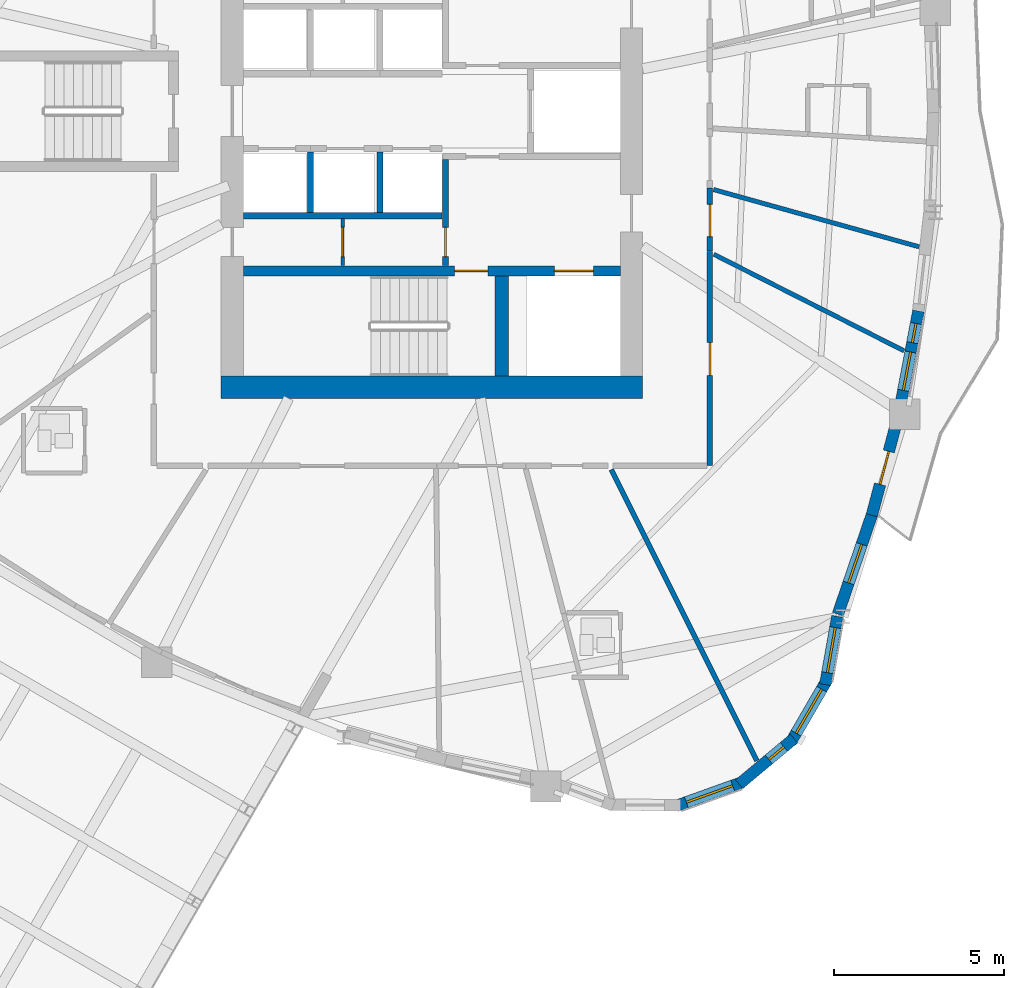
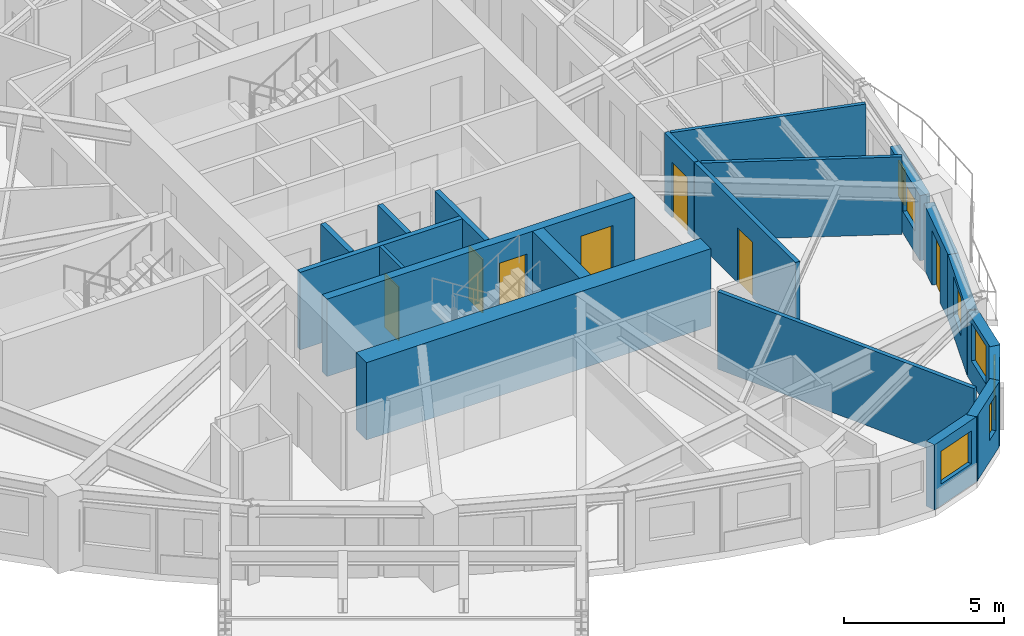
# One storey, part 6 of 17: 20 walls, 7 doors, 7 windows, 14 openings.
"""IFC4 building model written with IfcOpenShell, lengths in metres."""

from ifc_helpers import new_model, si_unit, direction, frame, frame_2d, origin, place, context, subcontext, project, spatial, rectangle, extrude, source, transform, mapped, material, layer, layer_set, type_object, element, fill, save


model = new_model("IFC4")

# Units and contexts
model_context = context("Model", 3, precision=1e-05, world=origin(), true_north=direction((0.0, 1.0)))
body_context = subcontext(model_context, "Body", "Model", "MODEL_VIEW")
ifc_project = project(units=[si_unit("LENGTHUNIT", "METRE"), si_unit("AREAUNIT", "SQUARE_METRE"), si_unit("VOLUMEUNIT", "CUBIC_METRE"), si_unit("PLANEANGLEUNIT", "RADIAN"), si_unit("MASSUNIT", "GRAM", prefix="KILO")], contexts=[model_context])

# Site, building, storey
site_placement = place(None, origin())
site = spatial("IfcSite", under=ifc_project, at=site_placement, CompositionType="ELEMENT")
building_placement = place(site_placement, origin())
building = spatial("IfcBuilding", under=site, at=building_placement, Name="Qafzar Sky-Pleat Residences", CompositionType="ELEMENT")
storey_placement = place(building_placement, frame((0.0, 0.0, 115.199951171875)))
storey = spatial("IfcBuildingStorey", under=building, at=storey_placement, Name="L34", CompositionType="ELEMENT", Elevation=115.199951171875)

# Wall, opening, door
ifc_material_1 = material(Name="Acoustic gypsum plasterboard partition", Category="gypsum")
ifc_layer_1 = layer(ifc_material_1, 0.159912109375)
ifc_layer_set_1 = layer_set([ifc_layer_1], Name="Acoustic gypsum plasterboard partition")
wall_type_1 = type_object("IfcWallType", Name="PART-COR-160", PredefinedType="PARTITIONING", material=ifc_layer_set_1)
wall_1_placement = place(storey_placement, frame((38.530029296875, 21.863037109375, 0.0), z_axis=(0.0, 0.0, 1.0), x_axis=(0.0, -1.0, 0.0)))
wall_1 = element("IfcWall", 1, at=wall_1_placement, inside=storey, type_object=wall_type_1, Name="L34 Partition Wall PART-L34-PW-004", PredefinedType="PARTITIONING", context=body_context, shape_type="SweptSolid", body=[
    extrude(rectangle(XDim=6.29296875, YDim=0.159912109375, at=frame_2d((3.146484375, 0.0))), origin(), (0.0, 0.0, 1.0), 2.949951171875),
])
opening_1_placement = place(wall_1_placement, frame((2.675048828125, 0.0, 0.0)))
opening_1 = element("IfcOpeningElement", 2, at=opening_1_placement, cuts=wall_1, Name="Opening ID-06", PredefinedType="OPENING", context=body_context, shape_type="SweptSolid", body=[
    extrude(rectangle(XDim=0.9599609375, YDim=2.10009765625, at=frame_2d((0.47998046875, 1.050048828125))), frame((0.0, 0.08984375, 0.0), z_axis=(0.0, -1.0, 0.0), x_axis=(1.0, 0.0, 0.0)), (0.0, 0.0, 1.0), 0.179931640625),
])
ifc_material_2 = material(Name="Timber-faced fire door", Category="wood")
door_type_1 = type_object("IfcDoorType", Name="DR-STD-960", OperationType="NOTDEFINED", PredefinedType="DOOR", material=ifc_material_2)
shared_shape_1 = source(origin(), body_context, "Body", "SweptSolid", [
    extrude(rectangle(XDim=0.9599609375, YDim=2.10009765625, at=frame_2d((0.47998046875, 1.050048828125))), frame((0.0, 0.02490234375, 0.0), z_axis=(0.0, -1.0, 0.0), x_axis=(1.0, 0.0, 0.0)), (0.0, 0.0, 1.0), 0.050048828125),
])
door_1_placement = place(opening_1_placement, origin())
door_1 = element("IfcDoor", 3, at=door_1_placement, inside=storey, type_object=door_type_1, Name="L34 Wellness Yoga Studio Door", OperationType="SINGLE_SWING_RIGHT", OverallHeight=2.10009765625, OverallWidth=0.9599609375, PredefinedType="DOOR", context=body_context, shape_type="MappedRepresentation", body=[
    mapped(shared_shape_1, transform((0.0, 0.0, 0.0), x_axis=(1.0, 0.0, 0.0), y_axis=(0.0, 1.0, 0.0), z_axis=(0.0, 0.0, 1.0), scale=1.0)),
])
fill(opening_1, door_1)

wall_2_placement = place(storey_placement, frame((38.530029296875, 23.737060546875, 0.0), z_axis=(0.0, 0.0, 1.0), x_axis=(0.0, -1.0, 0.0)))
wall_2 = element("IfcWall", 4, at=wall_2_placement, inside=storey, type_object=wall_type_1, Name="L34 Partition Wall PART-L34-PW-025", PredefinedType="PARTITIONING", context=body_context, shape_type="SweptSolid", body=[
    extrude(rectangle(XDim=1.859130859375, YDim=0.159912109375, at=frame_2d((0.9296875, 0.0))), origin(), (0.0, 0.0, 1.0), 2.949951171875),
])
opening_2_placement = place(wall_2_placement, frame((0.47802734375, 0.0, 0.0)))
opening_2 = element("IfcOpeningElement", 5, at=opening_2_placement, cuts=wall_2, Name="Opening ID-08", PredefinedType="OPENING", context=body_context, shape_type="SweptSolid", body=[
    extrude(rectangle(XDim=0.949951171875, YDim=2.10009765625, at=frame_2d((0.47509765625, 1.050048828125))), frame((0.0, 0.08984375, 0.0), z_axis=(0.0, -1.0, 0.0), x_axis=(1.0, 0.0, 0.0)), (0.0, 0.0, 1.0), 0.179931640625),
])
door_type_2 = type_object("IfcDoorType", Name="DR-AWC-950", OperationType="NOTDEFINED", PredefinedType="DOOR", material=ifc_material_2)
shared_shape_2 = source(origin(), body_context, "Body", "SweptSolid", [
    extrude(rectangle(XDim=0.949951171875, YDim=2.10009765625, at=frame_2d((0.47509765625, 1.050048828125))), frame((0.0, 0.02490234375, 0.0), z_axis=(0.0, -1.0, 0.0), x_axis=(1.0, 0.0, 0.0)), (0.0, 0.0, 1.0), 0.050048828125),
])
door_2_placement = place(opening_2_placement, origin())
door_2 = element("IfcDoor", 6, at=door_2_placement, inside=storey, type_object=door_type_2, Name="L34 Accessible Shared Washroom Door", OperationType="SINGLE_SWING_RIGHT", OverallHeight=2.10009765625, OverallWidth=0.949951171875, PredefinedType="DOOR", context=body_context, shape_type="MappedRepresentation", body=[
    mapped(shared_shape_2, transform((0.0, 0.0, 0.0), x_axis=(1.0, 0.0, 0.0), y_axis=(0.0, 1.0, 0.0), z_axis=(0.0, 0.0, 1.0), scale=1.0)),
])
fill(opening_2, door_2)

ifc_material_3 = material(Name="Concrete blockwork partition", Category="masonry")
ifc_layer_2 = layer(ifc_material_3, 0.179931640625)
ifc_layer_set_2 = layer_set([ifc_layer_2], Name="Concrete blockwork partition")
wall_type_2 = type_object("IfcWallType", Name="PART-SHAFT-180", PredefinedType="PARTITIONING", material=ifc_layer_set_2)
wall_3_placement = place(storey_placement, frame((30.75, 21.4599609375, 0.0), z_axis=(0.0, 0.0, 1.0), x_axis=(0.0, 1.0, 0.0)))
wall_3 = element("IfcWall", 7, at=wall_3_placement, inside=storey, type_object=wall_type_2, Name="L34 Partition Wall PART-L34-FFL1-W", PredefinedType="PARTITIONING", context=body_context, shape_type="SweptSolid", body=[
    extrude(rectangle(XDim=3.110107421875, YDim=0.179931640625, at=frame_2d((1.55517578125, 0.0))), origin(), (0.0, 0.0, 1.0), 2.949951171875),
])
opening_3_placement = place(wall_3_placement, frame((0.260009765625, 0.0, 0.0)))
opening_3 = element("IfcOpeningElement", 8, at=opening_3_placement, cuts=wall_3, Name="Opening ID-09", PredefinedType="OPENING", context=body_context, shape_type="SweptSolid", body=[
    extrude(rectangle(XDim=0.860107421875, YDim=2.050048828125, at=frame_2d((0.43017578125, 1.02490234375))), frame((0.0, 0.10009765625, 0.0), z_axis=(0.0, -1.0, 0.0), x_axis=(1.0, 0.0, 0.0)), (0.0, 0.0, 1.0), 0.199951171875),
])
door_type_3 = type_object("IfcDoorType", Name="DR-SVC-860", OperationType="NOTDEFINED", PredefinedType="DOOR", material=ifc_material_2)
shared_shape_3 = source(origin(), body_context, "Body", "SweptSolid", [
    extrude(rectangle(XDim=0.860107421875, YDim=2.050048828125, at=frame_2d((0.43017578125, 1.02490234375))), frame((0.0, 0.02490234375, 0.0), z_axis=(0.0, -1.0, 0.0), x_axis=(1.0, 0.0, 0.0)), (0.0, 0.0, 1.0), 0.050048828125),
])
door_3_placement = place(opening_3_placement, origin())
door_3 = element("IfcDoor", 9, at=door_3_placement, inside=storey, type_object=door_type_3, Name="L34 South Core Cupboard Door", OperationType="SINGLE_SWING_LEFT", OverallHeight=2.050048828125, OverallWidth=0.860107421875, PredefinedType="DOOR", context=body_context, shape_type="MappedRepresentation", body=[
    mapped(shared_shape_3, transform((0.0, 0.0, 0.0), x_axis=(1.0, 0.0, 0.0), y_axis=(0.0, 1.0, 0.0), z_axis=(0.0, 0.0, 1.0), scale=1.0)),
])
fill(opening_3, door_3)

# Walls
wall_4_placement = place(storey_placement, frame((24.81005859375, 22.919921875, 0.0), z_axis=(0.0, 0.0, 1.0), x_axis=(1.0, 0.0, 0.0)))
element("IfcWall", 10, at=wall_4_placement, inside=storey, type_object=wall_type_2, Name="L34 Partition Wall PART-L34-P13-S", PredefinedType="PARTITIONING", context=body_context, shape_type="SweptSolid", body=[
    extrude(rectangle(XDim=5.83984375, YDim=0.179931640625, at=frame_2d((2.919921875, 0.0))), origin(), (0.0, 0.0, 1.0), 2.949951171875),
])
for number, where, z_axis, x_axis, name in (
    (11, (26.77490234375, 23.02001953125, 0.0), (0.0, 0.0, 1.0), (0.0, 1.0, 0.0), "L34 Partition Wall PART-L34-P13-DIV-1"),
    (12, (28.824951171875, 23.02001953125, 0.0), (0.0, 0.0, 1.0), (0.0, 1.0, 0.0), "L34 Partition Wall PART-L34-P13-DIV-2"),
):
    element("IfcWall", number, at=place(storey_placement, frame(where, z_axis=z_axis, x_axis=x_axis)), inside=storey, type_object=wall_type_2, Name=name, PredefinedType="PARTITIONING", context=body_context, shape_type="SweptSolid", body=[
        extrude(rectangle(XDim=1.780029296875, YDim=0.179931640625, at=frame_2d((0.89013671875, 0.0))), origin(), (0.0, 0.0, 1.0), 2.949951171875),
    ])

# Wall, opening, door
ifc_material_4 = material(Name="Gypsum plasterboard partition", Category="gypsum")
ifc_layer_3 = layer(ifc_material_4, 0.114990234375)
ifc_layer_set_3 = layer_set([ifc_layer_3], Name="Gypsum plasterboard partition")
wall_type_3 = type_object("IfcWallType", Name="PART-SVC-115", PredefinedType="PARTITIONING", material=ifc_layer_set_3)
wall_5_placement = place(storey_placement, frame((27.72509765625, 21.4599609375, 0.0), z_axis=(0.0, 0.0, 1.0), x_axis=(0.0, 1.0, 0.0)))
wall_5 = element("IfcWall", 13, at=wall_5_placement, inside=storey, type_object=wall_type_3, Name="L34 Partition Wall PART-L34-KB-SW", PredefinedType="PARTITIONING", context=body_context, shape_type="SweptSolid", body=[
    extrude(rectangle(XDim=1.380126953125, YDim=0.114990234375, at=frame_2d((0.68994140625, 0.0))), origin(), (0.0, 0.0, 1.0), 2.949951171875),
])
opening_4_placement = place(wall_5_placement, frame((0.260009765625, 0.0, 0.0)))
opening_4 = element("IfcOpeningElement", 14, at=opening_4_placement, cuts=wall_5, Name="Opening ID-09", PredefinedType="OPENING", context=body_context, shape_type="SweptSolid", body=[
    extrude(rectangle(XDim=0.860107421875, YDim=2.050048828125, at=frame_2d((0.43017578125, 1.02490234375))), frame((0.0, 0.0673828125, 0.0), z_axis=(0.0, -1.0, 0.0), x_axis=(1.0, 0.0, 0.0)), (0.0, 0.0, 1.0), 0.135009765625),
])
door_4_placement = place(opening_4_placement, origin())
door_4 = element("IfcDoor", 15, at=door_4_placement, inside=storey, type_object=door_type_3, Name="L34 BMS Metering Cupboard Door", OperationType="SINGLE_SWING_LEFT", OverallHeight=2.050048828125, OverallWidth=0.860107421875, PredefinedType="DOOR", context=body_context, shape_type="MappedRepresentation", body=[
    mapped(shared_shape_3, transform((0.0, 0.0, 0.0), x_axis=(1.0, 0.0, 0.0), y_axis=(0.0, 1.0, 0.0), z_axis=(0.0, 0.0, 1.0), scale=1.0)),
])
fill(opening_4, door_4)

# Walls
ifc_layer_4 = layer(ifc_material_1, 0.14501953125)
ifc_layer_set_4 = layer_set([ifc_layer_4], Name="Acoustic gypsum plasterboard partition")
wall_type_4 = type_object("IfcWallType", Name="PART-UNIT-145", PredefinedType="PARTITIONING", material=ifc_layer_set_4)
wall_6_placement = place(storey_placement, frame((35.627685546875, 15.450439453125, 0.0), z_axis=(0.0, 0.0, 1.0), x_axis=(0.447427687311, -0.894320113062, 0.0)))
element("IfcWall", 16, at=wall_6_placement, inside=storey, type_object=wall_type_4, Name="L34 Partition Wall PART-L34-PW-034", PredefinedType="PARTITIONING", context=body_context, shape_type="SweptSolid", body=[
    extrude(rectangle(XDim=9.578369140625, YDim=0.14501953125, at=frame_2d((4.7890625, 0.0))), origin(), (0.0, 0.0, 1.0), 2.949951171875),
])
ifc_material_5 = material(Name="Moisture-resistant gypsum partition", Category="gypsum")
ifc_layer_5 = layer(ifc_material_5, 0.1298828125)
ifc_layer_set_5 = layer_set([ifc_layer_5], Name="Moisture-resistant gypsum partition")
wall_type_5 = type_object("IfcWallType", Name="PART-WET-130", PredefinedType="PARTITIONING", material=ifc_layer_set_5)
wall_7_placement = place(storey_placement, frame((38.646484375, 21.786865234375, 0.0), z_axis=(0.0, 0.0, 1.0), x_axis=(0.891647923981, -0.452729477349, 0.0)))
element("IfcWall", 17, at=wall_7_placement, inside=storey, type_object=wall_type_5, Name="L34 Partition Wall PART-L34-PW-041", PredefinedType="PARTITIONING", context=body_context, shape_type="SweptSolid", body=[
    extrude(rectangle(XDim=6.275390625, YDim=0.1298828125, at=frame_2d((3.1376953125, 0.0))), origin(), (0.0, 0.0, 1.0), 2.949951171875),
])
wall_8_placement = place(storey_placement, frame((38.63525390625, 23.692626953125, 0.0), z_axis=(0.0, 0.0, 1.0), x_axis=(0.963309939171, -0.268391432602, 0.0)))
element("IfcWall", 18, at=wall_8_placement, inside=storey, type_object=wall_type_5, Name="L34 Partition Wall PART-L34-PW-042", PredefinedType="PARTITIONING", context=body_context, shape_type="SweptSolid", body=[
    extrude(rectangle(XDim=6.281982421875, YDim=0.1298828125, at=frame_2d((3.14111328125, 0.0))), origin(), (0.0, 0.0, 1.0), 2.949951171875),
])

# Wall, opening, window
ifc_material_6 = material(Name="Precast concrete C40/50 with honed Riyadh limestone", Category="concrete")
ifc_layer_6 = layer(ifc_material_6, 0.340087890625)
ifc_layer_set_6 = layer_set([ifc_layer_6], Name="Precast concrete C40/50 with honed Riyadh limestone")
wall_type_6 = type_object("IfcWallType", Name="WALL-EXT-340", PredefinedType="SOLIDWALL", material=ifc_layer_set_6)
wall_9_placement = place(storey_placement, frame((37.529296875, 5.5537109375, 0.0), z_axis=(0.0, 0.0, 1.0), x_axis=(0.941486401639, 0.33705096874, 0.0)))
wall_9 = element("IfcWall", 19, at=wall_9_placement, inside=storey, type_object=wall_type_6, Name="L34 Limestone Facade Wall 19", PredefinedType="SOLIDWALL", context=body_context, shape_type="SweptSolid", body=[
    extrude(rectangle(XDim=2.09912109375, YDim=0.340087890625, at=frame_2d((1.049560546875, 0.0))), origin(), (0.0, 0.0, 1.0), 2.47998046875),
])
opening_5_placement = place(wall_9_placement, frame((0.324462890625, 0.0, 0.820068359375)))
opening_5 = element("IfcOpeningElement", 20, at=opening_5_placement, cuts=wall_9, Name="Opening WN-15", PredefinedType="OPENING", context=body_context, shape_type="SweptSolid", body=[
    extrude(rectangle(XDim=1.449951171875, YDim=1.25, at=frame_2d((0.72509765625, 0.625))), frame((0.0, 0.18017578125, 0.0), z_axis=(0.0, -1.0, 0.0), x_axis=(1.0, 0.0, 0.0)), (0.0, 0.0, 1.0), 0.360107421875),
])
ifc_material_7 = material(Name="Solar-control low-E glass in bronze aluminium frame", Category="glass")
window_type_1 = type_object("IfcWindowType", Name="WIN-15", PartitioningType="SINGLE_PANEL", PredefinedType="WINDOW", material=ifc_material_7)
shared_shape_4 = source(origin(), body_context, "Body", "SweptSolid", [
    extrude(rectangle(XDim=1.449951171875, YDim=1.25, at=frame_2d((0.72509765625, 0.625))), frame((0.0, 0.030029296875, 0.0), z_axis=(0.0, -1.0, 0.0), x_axis=(1.0, 0.0, 0.0)), (0.0, 0.0, 1.0), 0.06005859375),
])
window_1_placement = place(opening_5_placement, origin())
window_1 = element("IfcWindow", 21, at=window_1_placement, inside=storey, type_object=window_type_1, Name="L34 Punched Facade Window 19", OverallHeight=1.25, OverallWidth=1.449951171875, PartitioningType="SINGLE_PANEL", PredefinedType="WINDOW", context=body_context, shape_type="MappedRepresentation", body=[
    mapped(shared_shape_4, transform((0.0, 0.0, 0.0), x_axis=(1.0, 0.0, 0.0), y_axis=(0.0, 1.0, 0.0), z_axis=(0.0, 0.0, 1.0), scale=1.0)),
])
fill(opening_5, window_1)

wall_10_placement = place(storey_placement, frame((39.388916015625, 6.194580078125, 0.0), z_axis=(0.0, 0.0, 1.0), x_axis=(0.768488123124, 0.639864051669, 0.0)))
wall_10 = element("IfcWall", 22, at=wall_10_placement, inside=storey, type_object=wall_type_6, Name="L34 Limestone Facade Wall 20", PredefinedType="SOLIDWALL", context=body_context, shape_type="SweptSolid", body=[
    extrude(rectangle(XDim=2.099365234375, YDim=0.340087890625, at=frame_2d((1.0498046875, 0.0))), origin(), (0.0, 0.0, 1.0), 2.47998046875),
])
opening_6_placement = place(wall_10_placement, frame((1.1376953125, 0.0, 0.820068359375)))
opening_6 = element("IfcOpeningElement", 23, at=opening_6_placement, cuts=wall_10, Name="Opening WN-17", PredefinedType="OPENING", context=body_context, shape_type="SweptSolid", body=[
    extrude(rectangle(XDim=0.580078125, YDim=1.35009765625, at=frame_2d((0.2900390625, 0.675048828125))), frame((0.0, 0.18017578125, 0.0), z_axis=(0.0, -1.0, 0.0), x_axis=(1.0, 0.0, 0.0)), (0.0, 0.0, 1.0), 0.360107421875),
])
window_type_2 = type_object("IfcWindowType", Name="WIN-17", PartitioningType="SINGLE_PANEL", PredefinedType="WINDOW", material=ifc_material_7)
shared_shape_5 = source(origin(), body_context, "Body", "SweptSolid", [
    extrude(rectangle(XDim=0.580078125, YDim=1.35009765625, at=frame_2d((0.2900390625, 0.675048828125))), frame((0.0, 0.030029296875, 0.0), z_axis=(0.0, -1.0, 0.0), x_axis=(1.0, 0.0, 0.0)), (0.0, 0.0, 1.0), 0.06005859375),
])
window_2_placement = place(opening_6_placement, origin())
window_2 = element("IfcWindow", 24, at=window_2_placement, inside=storey, type_object=window_type_2, Name="L34 Punched Facade Window 20-2", OverallHeight=1.35009765625, OverallWidth=0.580078125, PartitioningType="SINGLE_PANEL", PredefinedType="WINDOW", context=body_context, shape_type="MappedRepresentation", body=[
    mapped(shared_shape_5, transform((0.0, 0.0, 0.0), x_axis=(1.0, 0.0, 0.0), y_axis=(0.0, 1.0, 0.0), z_axis=(0.0, 0.0, 1.0), scale=1.0)),
])
fill(opening_6, window_2)

wall_11_placement = place(storey_placement, frame((40.91552734375, 7.435302734375, 0.0), z_axis=(0.0, 0.0, 1.0), x_axis=(0.501989603552, 0.864873654313, 0.0)))
wall_11 = element("IfcWall", 25, at=wall_11_placement, inside=storey, type_object=wall_type_6, Name="L34 Limestone Facade Wall 21", PredefinedType="SOLIDWALL", context=body_context, shape_type="SweptSolid", body=[
    extrude(rectangle(XDim=2.09912109375, YDim=0.340087890625, at=frame_2d((1.049560546875, 0.0))), origin(), (0.0, 0.0, 1.0), 2.47998046875),
])
opening_7_placement = place(wall_11_placement, frame((0.299560546875, 0.0, 0.820068359375)))
opening_7 = element("IfcOpeningElement", 26, at=opening_7_placement, cuts=wall_11, Name="Opening WN-03", PredefinedType="OPENING", context=body_context, shape_type="SweptSolid", body=[
    extrude(rectangle(XDim=1.5, YDim=1.449951171875, at=frame_2d((0.75, 0.72509765625))), frame((0.0, 0.18017578125, 0.0), z_axis=(0.0, -1.0, 0.0), x_axis=(1.0, 0.0, 0.0)), (0.0, 0.0, 1.0), 0.360107421875),
])
window_type_3 = type_object("IfcWindowType", Name="WIN-03", PartitioningType="DOUBLE_PANEL_VERTICAL", PredefinedType="WINDOW", material=ifc_material_7)
shared_shape_6 = source(origin(), body_context, "Body", "SweptSolid", [
    extrude(rectangle(XDim=1.5, YDim=1.449951171875, at=frame_2d((0.75, 0.72509765625))), frame((0.0, 0.030029296875, 0.0), z_axis=(0.0, -1.0, 0.0), x_axis=(1.0, 0.0, 0.0)), (0.0, 0.0, 1.0), 0.06005859375),
])
window_3_placement = place(opening_7_placement, origin())
window_3 = element("IfcWindow", 27, at=window_3_placement, inside=storey, type_object=window_type_3, Name="L34 Punched Facade Window 21", OverallHeight=1.449951171875, OverallWidth=1.5, PartitioningType="SINGLE_PANEL", PredefinedType="WINDOW", context=body_context, shape_type="MappedRepresentation", body=[
    mapped(shared_shape_6, transform((0.0, 0.0, 0.0), x_axis=(1.0, 0.0, 0.0), y_axis=(0.0, 1.0, 0.0), z_axis=(0.0, 0.0, 1.0), scale=1.0)),
])
fill(opening_7, window_3)

wall_12_placement = place(storey_placement, frame((41.923095703125, 9.124755859375, 0.0), z_axis=(0.0, 0.0, 1.0), x_axis=(0.174399433509, 0.984674990843, 0.0)))
wall_12 = element("IfcWall", 28, at=wall_12_placement, inside=storey, type_object=wall_type_6, Name="L34 Limestone Facade Wall 22", PredefinedType="SOLIDWALL", context=body_context, shape_type="SweptSolid", body=[
    extrude(rectangle(XDim=2.041015625, YDim=0.340087890625, at=frame_2d((1.0205078125, 0.0))), origin(), (0.0, 0.0, 1.0), 2.47998046875),
])
opening_8_placement = place(wall_12_placement, frame((0.35546875, 0.0, 0.820068359375)))
opening_8 = element("IfcOpeningElement", 29, at=opening_8_placement, cuts=wall_12, Name="Opening WN-04", PredefinedType="OPENING", context=body_context, shape_type="SweptSolid", body=[
    extrude(rectangle(XDim=1.35009765625, YDim=1.449951171875, at=frame_2d((0.675048828125, 0.72509765625))), frame((0.0, 0.18017578125, 0.0), z_axis=(0.0, -1.0, 0.0), x_axis=(1.0, 0.0, 0.0)), (0.0, 0.0, 1.0), 0.360107421875),
])
window_type_4 = type_object("IfcWindowType", Name="WIN-04", PartitioningType="SINGLE_PANEL", PredefinedType="WINDOW", material=ifc_material_7)
shared_shape_7 = source(origin(), body_context, "Body", "SweptSolid", [
    extrude(rectangle(XDim=1.35009765625, YDim=1.449951171875, at=frame_2d((0.675048828125, 0.72509765625))), frame((0.0, 0.030029296875, 0.0), z_axis=(0.0, -1.0, 0.0), x_axis=(1.0, 0.0, 0.0)), (0.0, 0.0, 1.0), 0.06005859375),
])
window_4_placement = place(opening_8_placement, origin())
window_4 = element("IfcWindow", 30, at=window_4_placement, inside=storey, type_object=window_type_4, Name="L34 Punched Facade Window 22", OverallHeight=1.449951171875, OverallWidth=1.35009765625, PartitioningType="SINGLE_PANEL", PredefinedType="WINDOW", context=body_context, shape_type="MappedRepresentation", body=[
    mapped(shared_shape_7, transform((0.0, 0.0, 0.0), x_axis=(1.0, 0.0, 0.0), y_axis=(0.0, 1.0, 0.0), z_axis=(0.0, 0.0, 1.0), scale=1.0)),
])
fill(opening_8, window_4)

wall_13_placement = place(storey_placement, frame((42.295654296875, 11.198486328125, 0.0), z_axis=(0.0, 0.0, 1.0), x_axis=(0.323560359566, 0.946207532055, 0.0)))
wall_13 = element("IfcWall", 31, at=wall_13_placement, inside=storey, type_object=wall_type_6, Name="L34 Limestone Facade Wall 23", PredefinedType="SOLIDWALL", context=body_context, shape_type="SweptSolid", body=[
    extrude(rectangle(XDim=3.162353515625, YDim=0.340087890625, at=frame_2d((1.5810546875, 0.0))), origin(), (0.0, 0.0, 1.0), 2.47998046875),
])
opening_9_placement = place(wall_13_placement, frame((0.97119140625, 0.0, 0.820068359375)))
opening_9 = element("IfcOpeningElement", 32, at=opening_9_placement, cuts=wall_13, Name="Opening WN-05", PredefinedType="OPENING", context=body_context, shape_type="SweptSolid", body=[
    extrude(rectangle(XDim=1.199951171875, YDim=1.449951171875, at=frame_2d((0.60009765625, 0.72509765625))), frame((0.0, 0.18017578125, 0.0), z_axis=(0.0, -1.0, 0.0), x_axis=(1.0, 0.0, 0.0)), (0.0, 0.0, 1.0), 0.360107421875),
])
window_type_5 = type_object("IfcWindowType", Name="WIN-05", PartitioningType="SINGLE_PANEL", PredefinedType="WINDOW", material=ifc_material_7)
shared_shape_8 = source(origin(), body_context, "Body", "SweptSolid", [
    extrude(rectangle(XDim=1.199951171875, YDim=1.449951171875, at=frame_2d((0.60009765625, 0.72509765625))), frame((0.0, 0.030029296875, 0.0), z_axis=(0.0, -1.0, 0.0), x_axis=(1.0, 0.0, 0.0)), (0.0, 0.0, 1.0), 0.06005859375),
])
window_5_placement = place(opening_9_placement, origin())
window_5 = element("IfcWindow", 33, at=window_5_placement, inside=storey, type_object=window_type_5, Name="L34 Punched Facade Window 23", OverallHeight=1.449951171875, OverallWidth=1.199951171875, PartitioningType="SINGLE_PANEL", PredefinedType="WINDOW", context=body_context, shape_type="MappedRepresentation", body=[
    mapped(shared_shape_8, transform((0.0, 0.0, 0.0), x_axis=(1.0, 0.0, 0.0), y_axis=(0.0, 1.0, 0.0), z_axis=(0.0, 0.0, 1.0), scale=1.0)),
])
fill(opening_9, window_5)

# Wall, opening, door
wall_14_placement = place(storey_placement, frame((43.29345703125, 14.106689453125, 0.0), z_axis=(0.0, 0.0, 1.0), x_axis=(0.257057160046, 0.966396200566, 0.0)))
wall_14 = element("IfcWall", 34, at=wall_14_placement, inside=storey, type_object=wall_type_6, Name="L34 Limestone Facade Wall 24", PredefinedType="SOLIDWALL", context=body_context, shape_type="SweptSolid", body=[
    extrude(rectangle(XDim=2.88623046875, YDim=0.340087890625, at=frame_2d((1.443115234375, 0.0))), origin(), (0.0, 0.0, 1.0), 2.47998046875),
])
opening_10_placement = place(wall_14_placement, frame((0.943359375, 0.0, 0.0)))
opening_10 = element("IfcOpeningElement", 35, at=opening_10_placement, cuts=wall_14, Name="Opening ED-05", PredefinedType="OPENING", context=body_context, shape_type="SweptSolid", body=[
    extrude(rectangle(XDim=1.0, YDim=2.10009765625, at=frame_2d((0.5, 1.050048828125))), frame((0.0, 0.18017578125, 0.0), z_axis=(0.0, -1.0, 0.0), x_axis=(1.0, 0.0, 0.0)), (0.0, 0.0, 1.0), 0.360107421875),
])
ifc_material_8 = material(Name="Glazed bronze aluminium door", Category="aluminium")
door_type_4 = type_object("IfcDoorType", Name="DR-BAL-1000", OperationType="NOTDEFINED", PredefinedType="DOOR", material=ifc_material_8)
shared_shape_9 = source(origin(), body_context, "Body", "SweptSolid", [
    extrude(rectangle(XDim=1.0, YDim=2.10009765625, at=frame_2d((0.5, 1.050048828125))), frame((0.0, 0.02490234375, 0.0), z_axis=(0.0, -1.0, 0.0), x_axis=(1.0, 0.0, 0.0)), (0.0, 0.0, 1.0), 0.050048828125),
])
door_5_placement = place(opening_10_placement, origin())
door_5 = element("IfcDoor", 36, at=door_5_placement, inside=storey, type_object=door_type_4, Name="L34 Glazed Balcony Door 1", OperationType="SINGLE_SWING_LEFT", OverallHeight=2.10009765625, OverallWidth=1.0, PredefinedType="DOOR", context=body_context, shape_type="MappedRepresentation", body=[
    mapped(shared_shape_9, transform((0.0, 0.0, 0.0), x_axis=(1.0, 0.0, 0.0), y_axis=(0.0, 1.0, 0.0), z_axis=(0.0, 0.0, 1.0), scale=1.0)),
])
fill(opening_10, door_5)

# Wall, openings, windows
wall_15_placement = place(storey_placement, frame((44.134765625, 17.33251953125, 0.0), z_axis=(0.0, 0.0, 1.0), x_axis=(0.186704677781, 0.982416084607, 0.0)))
wall_15 = element("IfcWall", 37, at=wall_15_placement, inside=storey, type_object=wall_type_6, Name="L34 Limestone Facade Wall 25", PredefinedType="SOLIDWALL", context=body_context, shape_type="SweptSolid", body=[
    extrude(rectangle(XDim=2.836181640625, YDim=0.340087890625, at=frame_2d((1.41796875, 0.0))), origin(), (0.0, 0.0, 1.0), 2.47998046875),
])
opening_11_placement = place(wall_15_placement, frame((0.45751953125, 0.0, 0.820068359375)))
opening_11 = element("IfcOpeningElement", 38, at=opening_11_placement, cuts=wall_15, Name="Opening WN-16", PredefinedType="OPENING", context=body_context, shape_type="SweptSolid", body=[
    extrude(rectangle(XDim=1.14990234375, YDim=1.199951171875, at=frame_2d((0.574951171875, 0.60009765625))), frame((0.0, 0.18017578125, 0.0), z_axis=(0.0, -1.0, 0.0), x_axis=(1.0, 0.0, 0.0)), (0.0, 0.0, 1.0), 0.360107421875),
])
opening_12_placement = place(wall_15_placement, frame((1.885498046875, 0.0, 0.820068359375)))
opening_12 = element("IfcOpeningElement", 39, at=opening_12_placement, cuts=wall_15, Name="Opening WN-17", PredefinedType="OPENING", context=body_context, shape_type="SweptSolid", body=[
    extrude(rectangle(XDim=0.580078125, YDim=1.35009765625, at=frame_2d((0.2900390625, 0.675048828125))), frame((0.0, 0.18017578125, 0.0), z_axis=(0.0, -1.0, 0.0), x_axis=(1.0, 0.0, 0.0)), (0.0, 0.0, 1.0), 0.360107421875),
])
window_6_placement = place(opening_12_placement, origin())
window_6 = element("IfcWindow", 40, at=window_6_placement, inside=storey, type_object=window_type_2, Name="L34 Punched Facade Window 25-2", OverallHeight=1.35009765625, OverallWidth=0.580078125, PartitioningType="SINGLE_PANEL", PredefinedType="WINDOW", context=body_context, shape_type="MappedRepresentation", body=[
    mapped(shared_shape_5, transform((0.0, 0.0, 0.0), x_axis=(1.0, 0.0, 0.0), y_axis=(0.0, 1.0, 0.0), z_axis=(0.0, 0.0, 1.0), scale=1.0)),
])
fill(opening_12, window_6)
window_type_6 = type_object("IfcWindowType", Name="WIN-16", PartitioningType="SINGLE_PANEL", PredefinedType="WINDOW", material=ifc_material_7)
shared_shape_10 = source(origin(), body_context, "Body", "SweptSolid", [
    extrude(rectangle(XDim=1.14990234375, YDim=1.199951171875, at=frame_2d((0.574951171875, 0.60009765625))), frame((0.0, 0.030029296875, 0.0), z_axis=(0.0, -1.0, 0.0), x_axis=(1.0, 0.0, 0.0)), (0.0, 0.0, 1.0), 0.06005859375),
])
window_7_placement = place(opening_11_placement, origin())
window_7 = element("IfcWindow", 41, at=window_7_placement, inside=storey, type_object=window_type_6, Name="L34 Punched Facade Window 25", OverallHeight=1.199951171875, OverallWidth=1.14990234375, PartitioningType="SINGLE_PANEL", PredefinedType="WINDOW", context=body_context, shape_type="MappedRepresentation", body=[
    mapped(shared_shape_10, transform((0.0, 0.0, 0.0), x_axis=(1.0, 0.0, 0.0), y_axis=(0.0, 1.0, 0.0), z_axis=(0.0, 0.0, 1.0), scale=1.0)),
])
fill(opening_11, window_7)

# Wall, openings, doors
ifc_material_9 = material(Name="Concrete C60/75", Category="concrete")
ifc_layer_7 = layer(ifc_material_9, 0.300048828125)
ifc_layer_set_7 = layer_set([ifc_layer_7], Name="Concrete C60/75")
wall_type_7 = type_object("IfcWallType", Name="WALL-SHEAR-300", PredefinedType="SHEAR", material=ifc_layer_set_7)
wall_16_placement = place(storey_placement, frame((24.800048828125, 21.300048828125, 0.0), z_axis=(0.0, 0.0, 1.0), x_axis=(1.0, 0.0, 0.0)))
wall_16 = element("IfcWall", 42, at=wall_16_placement, inside=storey, type_object=wall_type_7, Name="L34 Stair ST1 and FF1 Shaft North Wall", PredefinedType="SHEAR", context=body_context, shape_type="SweptSolid", body=[
    extrude(rectangle(XDim=11.099853515625, YDim=0.300048828125, at=frame_2d((5.5498046875, 0.0))), origin(), (0.0, 0.0, 1.0), 2.949951171875),
])
opening_13_placement = place(wall_16_placement, frame((6.219970703125, 0.0, 0.0)))
opening_13 = element("IfcOpeningElement", 43, at=opening_13_placement, cuts=wall_16, Name="Opening ID-01", PredefinedType="OPENING", context=body_context, shape_type="SweptSolid", body=[
    extrude(rectangle(XDim=0.97998046875, YDim=2.14990234375, at=frame_2d((0.489990234375, 1.074951171875))), frame((0.0, 0.16015625, 0.0), z_axis=(0.0, -1.0, 0.0), x_axis=(1.0, 0.0, 0.0)), (0.0, 0.0, 1.0), 0.320068359375),
])
opening_14_placement = place(wall_16_placement, frame((9.14990234375, 0.0, 0.0)))
opening_14 = element("IfcOpeningElement", 44, at=opening_14_placement, cuts=wall_16, Name="Opening LD-02", PredefinedType="OPENING", context=body_context, shape_type="SweptSolid", body=[
    extrude(rectangle(XDim=1.14990234375, YDim=2.14990234375, at=frame_2d((0.574951171875, 1.074951171875))), frame((0.0, 0.16015625, 0.0), z_axis=(0.0, -1.0, 0.0), x_axis=(1.0, 0.0, 0.0)), (0.0, 0.0, 1.0), 0.320068359375),
])
door_type_5 = type_object("IfcDoorType", Name="DR-STAIR-980", OperationType="NOTDEFINED", PredefinedType="DOOR", material=ifc_material_2)
shared_shape_11 = source(origin(), body_context, "Body", "SweptSolid", [
    extrude(rectangle(XDim=0.97998046875, YDim=2.14990234375, at=frame_2d((0.489990234375, 1.074951171875))), frame((0.0, 0.02490234375, 0.0), z_axis=(0.0, -1.0, 0.0), x_axis=(1.0, 0.0, 0.0)), (0.0, 0.0, 1.0), 0.050048828125),
])
door_6_placement = place(opening_13_placement, origin())
door_6 = element("IfcDoor", 45, at=door_6_placement, inside=storey, type_object=door_type_5, Name="L34 Stair ST1 Fire Door", OperationType="SINGLE_SWING_RIGHT", OverallHeight=2.14990234375, OverallWidth=0.97998046875, PredefinedType="DOOR", context=body_context, shape_type="MappedRepresentation", body=[
    mapped(shared_shape_11, transform((0.0, 0.0, 0.0), x_axis=(1.0, 0.0, 0.0), y_axis=(0.0, 1.0, 0.0), z_axis=(0.0, 0.0, 1.0), scale=1.0)),
])
fill(opening_13, door_6)
ifc_material_10 = material(Name="Stainless steel sliding landing door", Category="steel")
door_type_6 = type_object("IfcDoorType", Name="DR-LIFT-FF", OperationType="DOUBLE_DOOR_SLIDING", PredefinedType="DOOR", material=ifc_material_10)
shared_shape_12 = source(origin(), body_context, "Body", "SweptSolid", [
    extrude(rectangle(XDim=1.14990234375, YDim=2.14990234375, at=frame_2d((0.574951171875, 1.074951171875))), frame((0.0, 0.02490234375, 0.0), z_axis=(0.0, -1.0, 0.0), x_axis=(1.0, 0.0, 0.0)), (0.0, 0.0, 1.0), 0.050048828125),
])
door_7_placement = place(opening_14_placement, origin())
door_7 = element("IfcDoor", 46, at=door_7_placement, inside=storey, type_object=door_type_6, Name="L34 Firefighting Lift FF1 Landing Door", OperationType="DOUBLE_DOOR_SLIDING", OverallHeight=2.14990234375, OverallWidth=1.14990234375, PredefinedType="DOOR", context=body_context, shape_type="MappedRepresentation", body=[
    mapped(shared_shape_12, transform((0.0, 0.0, 0.0), x_axis=(1.0, 0.0, 0.0), y_axis=(0.0, 1.0, 0.0), z_axis=(0.0, 0.0, 1.0), scale=1.0)),
])
fill(opening_14, door_7)

# Walls
ifc_layer_8 = layer(ifc_material_9, 0.39990234375)
ifc_layer_set_8 = layer_set([ifc_layer_8], Name="Concrete C60/75")
wall_type_8 = type_object("IfcWallType", Name="WALL-SHEAR-400", PredefinedType="SHEAR", material=ifc_layer_set_8)
wall_17_placement = place(storey_placement, frame((32.39990234375, 18.199951171875, 0.0), z_axis=(0.0, 0.0, 1.0), x_axis=(0.0, 1.0, 0.0)))
element("IfcWall", 47, at=wall_17_placement, inside=storey, type_object=wall_type_8, Name="L34 Stair ST1 East Dividing Wall", PredefinedType="SHEAR", context=body_context, shape_type="SweptSolid", body=[
    extrude(rectangle(XDim=2.949951171875, YDim=0.39990234375, at=frame_2d((1.47509765625, 0.0))), origin(), (0.0, 0.0, 1.0), 2.949951171875),
])
ifc_layer_9 = layer(ifc_material_9, 0.64990234375)
ifc_layer_set_9 = layer_set([ifc_layer_9], Name="Concrete C60/75")
wall_type_9 = type_object("IfcWallType", Name="WALL-SHEAR-650", PredefinedType="SHEAR", material=ifc_layer_set_9)
wall_18_placement = place(storey_placement, frame((24.14990234375, 17.875, 0.0), z_axis=(0.0, 0.0, 1.0), x_axis=(1.0, 0.0, 0.0)))
element("IfcWall", 48, at=wall_18_placement, inside=storey, type_object=wall_type_9, Name="L34 CORE wall S", PredefinedType="SHEAR", context=body_context, shape_type="SweptSolid", body=[
    extrude(rectangle(XDim=12.400146484375, YDim=0.64990234375, at=frame_2d((6.2001953125, 0.0))), origin(), (0.0, 0.0, 1.0), 2.949951171875),
])

save(model, "model.ifc")
